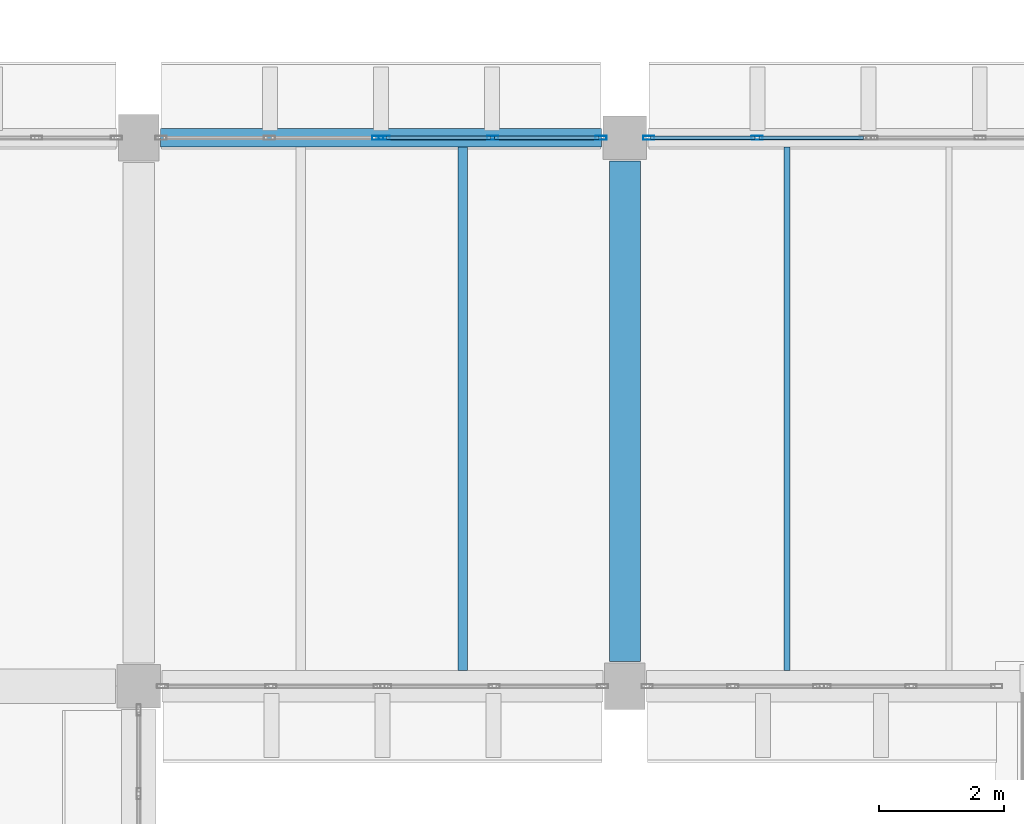
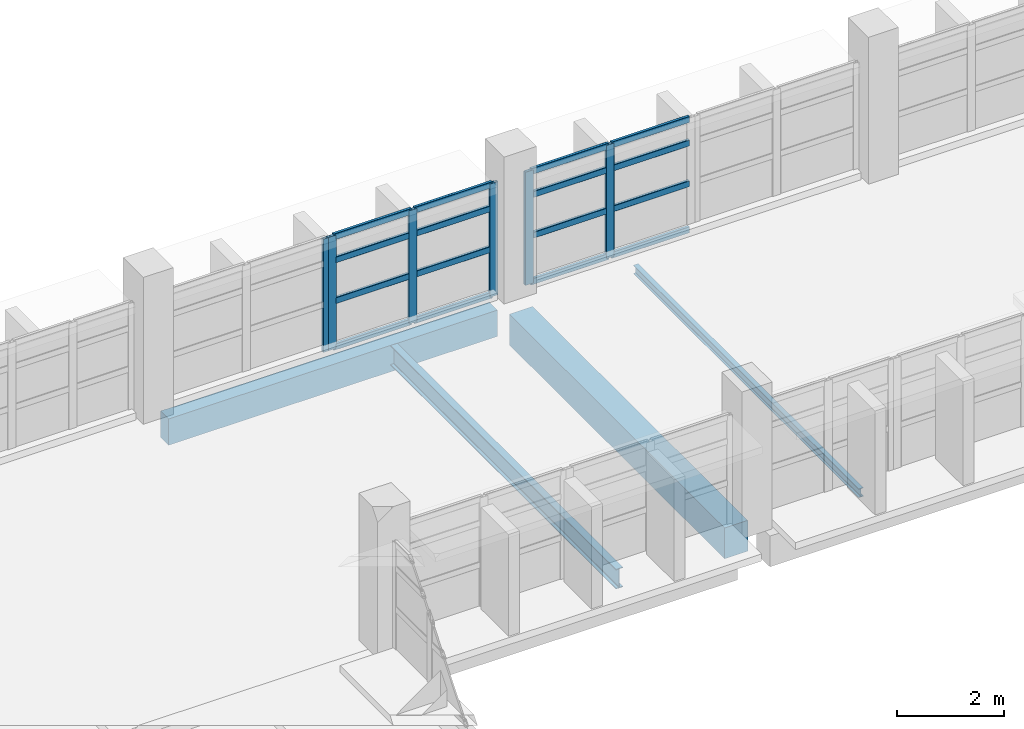
# One storey, part 22 of 75: 22 members, 4 beams, 3 elements without a shape of their own.
"""IFC4 building model written with IfcOpenShell, lengths in metres."""

from ifc_helpers import new_model, si_unit, direction, frame, origin, origin_2d, place, context, subcontext, project, spatial, rectangle, hollow_rectangle, i_section, extrude, material, material_profile, profile_set, type_object, element, aggregate, save


model = new_model("IFC4")

# Units and contexts
model_context = context("Model", 3, precision=1e-05, world=origin(), true_north=direction((0.0, 1.0)))
body_context = subcontext(model_context, "Body", "Model", "MODEL_VIEW")
ifc_project = project(units=[si_unit("LENGTHUNIT", "METRE"), si_unit("AREAUNIT", "SQUARE_METRE"), si_unit("VOLUMEUNIT", "CUBIC_METRE"), si_unit("PLANEANGLEUNIT", "RADIAN"), si_unit("MASSUNIT", "GRAM", prefix="KILO")], contexts=[model_context])

# Site, building, storey
site_placement = place(None, origin())
site = spatial("IfcSite", under=ifc_project, at=site_placement, CompositionType="ELEMENT")
building_placement = place(site_placement, origin())
building = spatial("IfcBuilding", under=site, at=building_placement, Name="Varnakota Cinema and Media Centre", CompositionType="ELEMENT")
storey_placement = place(building_placement, frame((0.0, 0.0, 8.39990234375)))
storey = spatial("IfcBuildingStorey", under=building, at=storey_placement, Name="L02", CompositionType="ELEMENT", Elevation=8.39990234375)

# Beams
ifc_material_1 = material(Name="Concrete M35", Category="concrete")
ifc_material_profile_1 = material_profile(ifc_material_1, rectangle(XDim=0.5, YDim=0.699951171875, at=origin_2d()), Name="RCB 500x700")
ifc_profile_set_1 = profile_set([ifc_material_profile_1], Name="Concrete M35")
beam_type_1 = type_object("IfcBeamType", Name="BM-RC-500x700", PredefinedType="BEAM", material=ifc_profile_set_1)
beam_1_placement = place(storey_placement, frame((59.39990234375, 35.60009765625, -0.599853515625), z_axis=(0.0, 1.0, 0.0), x_axis=(-1.0, 0.0, 0.0)))
element("IfcBeam", 1, at=beam_1_placement, inside=storey, type_object=beam_type_1, Name="L02 girder H/5-6", PredefinedType="BEAM", context=body_context, shape_type="SweptSolid", body=[
    extrude(rectangle(XDim=0.5, YDim=0.699951171875, at=origin_2d()), origin(), (0.0, 0.0, 1.0), 8.02490234375),
])
ifc_material_2 = material(Name="Concrete M35", Category="concrete")
ifc_material_profile_2 = material_profile(ifc_material_2, rectangle(XDim=0.300048828125, YDim=0.60009765625, at=origin_2d()), Name="RCB 300x600")
ifc_profile_set_2 = profile_set([ifc_material_profile_2], Name="Concrete M35")
beam_type_2 = type_object("IfcBeamType", Name="BM-SP-300x600", PredefinedType="SPANDREL", material=ifc_profile_set_2)
beam_2_placement = place(storey_placement, frame((51.949951171875, 44.0, -0.5498046875), z_axis=(1.0, 0.0, 0.0), x_axis=(0.0, 1.0, 0.0)))
element("IfcBeam", 2, at=beam_2_placement, inside=storey, type_object=beam_type_2, Name="L02 girder G-H/6", PredefinedType="SPANDREL", context=body_context, shape_type="SweptSolid", body=[
    extrude(rectangle(XDim=0.300048828125, YDim=0.60009765625, at=origin_2d()), origin(), (0.0, 0.0, 1.0), 7.074951171875),
])
ifc_material_3 = material(Name="Structural steel Grade 350 (E350)", Category="steel")
ifc_material_profile_3 = material_profile(ifc_material_3, i_section(OverallWidth=0.10009765625, OverallDepth=0.199951171875, WebThickness=0.005615234375, FlangeThickness=0.0107421875, FilletRadius=0.010986328125, at=origin_2d()), Name="ISMB 200")
ifc_profile_set_3 = profile_set([ifc_material_profile_3], Name="Structural steel Grade 350 (E350)")
beam_type_3 = type_object("IfcBeamType", Name="BM-ST-ISMB200", PredefinedType="JOIST", material=ifc_profile_set_3)
beam_3_placement = place(storey_placement, frame((62.0, 35.449951171875, -0.349853515625), z_axis=(0.0, 1.0, 0.0), x_axis=(-1.0, 0.0, 0.0)))
element("IfcBeam", 3, at=beam_3_placement, inside=storey, type_object=beam_type_3, Name="L02 steel joist H-J/5-6 #1", PredefinedType="JOIST", context=body_context, shape_type="SweptSolid", body=[
    extrude(i_section(OverallWidth=0.10009765625, OverallDepth=0.199951171875, WebThickness=0.005615234375, FlangeThickness=0.0107421875, FilletRadius=0.010986328125, at=origin_2d()), origin(), (0.0, 0.0, 1.0), 8.400146484375),
])
ifc_material_4 = material(Name="Structural steel Grade 350 (E350)", Category="steel")
ifc_material_profile_4 = material_profile(ifc_material_4, i_section(OverallWidth=0.14990234375, OverallDepth=0.449951171875, WebThickness=0.009521484375, FlangeThickness=0.017333984375, FilletRadius=0.014892578125, at=origin_2d()), Name="ISMB 450")
ifc_profile_set_4 = profile_set([ifc_material_profile_4], Name="Structural steel Grade 350 (E350)")
beam_type_4 = type_object("IfcBeamType", Name="BM-ST-ISMB450", PredefinedType="BEAM", material=ifc_profile_set_4)
beam_4_placement = place(storey_placement, frame((56.800048828125, 35.449951171875, -0.474853515625), z_axis=(0.0, 1.0, 0.0), x_axis=(-1.0, 0.0, 0.0)))
element("IfcBeam", 4, at=beam_4_placement, inside=storey, type_object=beam_type_4, Name="L02 steel joist G-H/5-6 #2", PredefinedType="BEAM", context=body_context, shape_type="SweptSolid", body=[
    extrude(i_section(OverallWidth=0.14990234375, OverallDepth=0.449951171875, WebThickness=0.009521484375, FlangeThickness=0.017333984375, FilletRadius=0.014892578125, at=origin_2d()), origin(), (0.0, 0.0, 1.0), 8.400146484375),
])

# Curtain wall, member
ifc_material_5 = material(Name="Thermally broken anodised aluminium AW-6063", Category="aluminium")
curtain_wall_type = type_object("IfcCurtainWallType", Name="CW-STD-354x258", PredefinedType="USERDEFINED", material=ifc_material_5)
curtain_wall_1_placement = place(storey_placement, origin())
curtain_wall_1 = element("IfcCurtainWall", 5, at=curtain_wall_1_placement, inside=storey, type_object=curtain_wall_type, Name="L02 curtain wall CW-L02-LINK-N-02-1", ObjectType="UNITISED CURTAIN WALL", PredefinedType="USERDEFINED")
ifc_material_6 = material(Name="Thermally broken anodised aluminium AW-6063", Category="aluminium")
ifc_material_profile_5 = material_profile(ifc_material_6, hollow_rectangle(XDim=0.06494140625, YDim=0.179931640625, WallThickness=0.00390625, InnerFilletRadius=0.00390625, OuterFilletRadius=0.008056640625, at=origin_2d()), Name="AL-MULLION 180x65x4")
ifc_profile_set_5 = profile_set([ifc_material_profile_5], Name="Thermally broken anodised aluminium AW-6063")
member_type_1 = type_object("IfcMemberType", Name="CWM-AL-180", PredefinedType="MULLION", material=ifc_profile_set_5)
member_1_placement = place(storey_placement, frame((55.43505859375, 44.0, 0.0), z_axis=(0.0, 0.0, 1.0), x_axis=(0.0, 1.0, 0.0)))
member_1 = element("IfcMember", 6, at=member_1_placement, type_object=member_type_1, Name="CW31 mullion 3", PredefinedType="MULLION", context=body_context, shape_type="SweptSolid", body=[
    extrude(hollow_rectangle(XDim=0.06494140625, YDim=0.179931640625, WallThickness=0.00390625, InnerFilletRadius=0.00390625, OuterFilletRadius=0.008056640625, at=origin_2d()), origin(), (0.0, 0.0, 1.0), 2.5751953125),
])
aggregate(curtain_wall_1, [member_1])

# Curtain wall, members
curtain_wall_2_placement = place(storey_placement, origin())
curtain_wall_2 = element("IfcCurtainWall", 7, at=curtain_wall_2_placement, inside=storey, type_object=curtain_wall_type, Name="L02 curtain wall CW-L02-LINK-N-02-2", ObjectType="UNITISED CURTAIN WALL", PredefinedType="USERDEFINED")
member_2_placement = place(storey_placement, frame((55.5400390625, 44.0, 0.0), z_axis=(0.0, 0.0, 1.0), x_axis=(0.0, 1.0, 0.0)))
member_2 = element("IfcMember", 8, at=member_2_placement, type_object=member_type_1, Name="CW31 mullion 1", PredefinedType="MULLION", context=body_context, shape_type="SweptSolid", body=[
    extrude(hollow_rectangle(XDim=0.06494140625, YDim=0.179931640625, WallThickness=0.00390625, InnerFilletRadius=0.00390625, OuterFilletRadius=0.008056640625, at=origin_2d()), origin(), (0.0, 0.0, 1.0), 2.5751953125),
])
member_3_placement = place(storey_placement, frame((57.27880859375, 44.0, 0.0), z_axis=(0.0, 0.0, 1.0), x_axis=(0.0, 1.0, 0.0)))
member_3 = element("IfcMember", 9, at=member_3_placement, type_object=member_type_1, Name="CW31 mullion 2", PredefinedType="MULLION", context=body_context, shape_type="SweptSolid", body=[
    extrude(hollow_rectangle(XDim=0.06494140625, YDim=0.179931640625, WallThickness=0.00390625, InnerFilletRadius=0.00390625, OuterFilletRadius=0.008056640625, at=origin_2d()), origin(), (0.0, 0.0, 1.0), 2.5751953125),
])
member_4_placement = place(storey_placement, frame((59.017578125, 44.0, 0.0), z_axis=(0.0, 0.0, 1.0), x_axis=(0.0, 1.0, 0.0)))
member_4 = element("IfcMember", 10, at=member_4_placement, type_object=member_type_1, Name="CW31 mullion 3", PredefinedType="MULLION", context=body_context, shape_type="SweptSolid", body=[
    extrude(hollow_rectangle(XDim=0.06494140625, YDim=0.179931640625, WallThickness=0.00390625, InnerFilletRadius=0.00390625, OuterFilletRadius=0.008056640625, at=origin_2d()), origin(), (0.0, 0.0, 1.0), 2.5751953125),
])

curtain_wall_3_placement = place(storey_placement, origin())
curtain_wall_3 = element("IfcCurtainWall", 11, at=curtain_wall_3_placement, inside=storey, type_object=curtain_wall_type, Name="L02 curtain wall CW-L02-LINK-N-03-1", ObjectType="UNITISED CURTAIN WALL", PredefinedType="USERDEFINED")
member_5_placement = place(storey_placement, frame((59.782470703125, 44.0, 0.0), z_axis=(0.0, 0.0, 1.0), x_axis=(0.0, 1.0, 0.0)))
member_5 = element("IfcMember", 12, at=member_5_placement, type_object=member_type_1, Name="CW31 mullion 1", PredefinedType="MULLION", context=body_context, shape_type="SweptSolid", body=[
    extrude(hollow_rectangle(XDim=0.06494140625, YDim=0.179931640625, WallThickness=0.00390625, InnerFilletRadius=0.00390625, OuterFilletRadius=0.008056640625, at=origin_2d()), origin(), (0.0, 0.0, 1.0), 2.5751953125),
])
member_6_placement = place(storey_placement, frame((61.521240234375, 44.0, 0.0), z_axis=(0.0, 0.0, 1.0), x_axis=(0.0, 1.0, 0.0)))
member_6 = element("IfcMember", 13, at=member_6_placement, type_object=member_type_1, Name="CW31 mullion 2", PredefinedType="MULLION", context=body_context, shape_type="SweptSolid", body=[
    extrude(hollow_rectangle(XDim=0.06494140625, YDim=0.179931640625, WallThickness=0.00390625, InnerFilletRadius=0.00390625, OuterFilletRadius=0.008056640625, at=origin_2d()), origin(), (0.0, 0.0, 1.0), 2.5751953125),
])

# Member
ifc_material_7 = material(Name="Thermally broken anodised aluminium AW-6063", Category="aluminium")
ifc_material_profile_6 = material_profile(ifc_material_7, hollow_rectangle(XDim=0.06494140625, YDim=0.139892578125, WallThickness=0.00390625, InnerFilletRadius=0.00390625, OuterFilletRadius=0.008056640625, at=origin_2d()), Name="AL-TRANSOM 140x65x4")
ifc_profile_set_6 = profile_set([ifc_material_profile_6], Name="Thermally broken anodised aluminium AW-6063")
member_type_2 = type_object("IfcMemberType", Name="CWT-AL-140", PredefinedType="USERDEFINED", material=ifc_profile_set_6)
member_7_placement = place(storey_placement, frame((55.572509765625, 44.0, 0.03271484375), z_axis=(1.0, 0.0, 0.0), x_axis=(0.0, 1.0, 0.0)))
member_7 = element("IfcMember", 14, at=member_7_placement, type_object=member_type_2, Name="CW31 transom 1.1", ObjectType="TRANSOM", PredefinedType="USERDEFINED", context=body_context, shape_type="SweptSolid", body=[
    extrude(hollow_rectangle(XDim=0.06494140625, YDim=0.139892578125, WallThickness=0.00390625, InnerFilletRadius=0.00390625, OuterFilletRadius=0.008056640625, at=origin_2d()), origin(), (0.0, 0.0, 1.0), 1.673828125),
])

member_8_placement = place(storey_placement, frame((55.572509765625, 44.0, 1.08154296875), z_axis=(1.0, 0.0, 0.0), x_axis=(0.0, 1.0, 0.0)))
member_8 = element("IfcMember", 15, at=member_8_placement, type_object=member_type_2, Name="CW31 transom 1.2", ObjectType="TRANSOM", PredefinedType="USERDEFINED", context=body_context, shape_type="SweptSolid", body=[
    extrude(hollow_rectangle(XDim=0.06494140625, YDim=0.139892578125, WallThickness=0.00390625, InnerFilletRadius=0.00390625, OuterFilletRadius=0.008056640625, at=origin_2d()), origin(), (0.0, 0.0, 1.0), 1.673828125),
])

member_9_placement = place(storey_placement, frame((55.572509765625, 44.0, 2.008544921875), z_axis=(1.0, 0.0, 0.0), x_axis=(0.0, 1.0, 0.0)))
member_9 = element("IfcMember", 16, at=member_9_placement, type_object=member_type_2, Name="CW31 transom 1.3", ObjectType="TRANSOM", PredefinedType="USERDEFINED", context=body_context, shape_type="SweptSolid", body=[
    extrude(hollow_rectangle(XDim=0.06494140625, YDim=0.139892578125, WallThickness=0.00390625, InnerFilletRadius=0.00390625, OuterFilletRadius=0.008056640625, at=origin_2d()), origin(), (0.0, 0.0, 1.0), 1.673828125),
])

member_10_placement = place(storey_placement, frame((55.572509765625, 44.0, 2.54248046875), z_axis=(1.0, 0.0, 0.0), x_axis=(0.0, 1.0, 0.0)))
member_10 = element("IfcMember", 17, at=member_10_placement, type_object=member_type_2, Name="CW31 transom 1.4", ObjectType="TRANSOM", PredefinedType="USERDEFINED", context=body_context, shape_type="SweptSolid", body=[
    extrude(hollow_rectangle(XDim=0.06494140625, YDim=0.139892578125, WallThickness=0.00390625, InnerFilletRadius=0.00390625, OuterFilletRadius=0.008056640625, at=origin_2d()), origin(), (0.0, 0.0, 1.0), 1.673828125),
])

member_11_placement = place(storey_placement, frame((57.311279296875, 44.0, 0.03271484375), z_axis=(1.0, 0.0, 0.0), x_axis=(0.0, 1.0, 0.0)))
member_11 = element("IfcMember", 18, at=member_11_placement, type_object=member_type_2, Name="CW31 transom 2.1", ObjectType="TRANSOM", PredefinedType="USERDEFINED", context=body_context, shape_type="SweptSolid", body=[
    extrude(hollow_rectangle(XDim=0.06494140625, YDim=0.139892578125, WallThickness=0.00390625, InnerFilletRadius=0.00390625, OuterFilletRadius=0.008056640625, at=origin_2d()), origin(), (0.0, 0.0, 1.0), 1.673828125),
])

member_12_placement = place(storey_placement, frame((57.311279296875, 44.0, 1.08154296875), z_axis=(1.0, 0.0, 0.0), x_axis=(0.0, 1.0, 0.0)))
member_12 = element("IfcMember", 19, at=member_12_placement, type_object=member_type_2, Name="CW31 transom 2.2", ObjectType="TRANSOM", PredefinedType="USERDEFINED", context=body_context, shape_type="SweptSolid", body=[
    extrude(hollow_rectangle(XDim=0.06494140625, YDim=0.139892578125, WallThickness=0.00390625, InnerFilletRadius=0.00390625, OuterFilletRadius=0.008056640625, at=origin_2d()), origin(), (0.0, 0.0, 1.0), 1.673828125),
])

member_13_placement = place(storey_placement, frame((57.311279296875, 44.0, 2.008544921875), z_axis=(1.0, 0.0, 0.0), x_axis=(0.0, 1.0, 0.0)))
member_13 = element("IfcMember", 20, at=member_13_placement, type_object=member_type_2, Name="CW31 transom 2.3", ObjectType="TRANSOM", PredefinedType="USERDEFINED", context=body_context, shape_type="SweptSolid", body=[
    extrude(hollow_rectangle(XDim=0.06494140625, YDim=0.139892578125, WallThickness=0.00390625, InnerFilletRadius=0.00390625, OuterFilletRadius=0.008056640625, at=origin_2d()), origin(), (0.0, 0.0, 1.0), 1.673828125),
])

member_14_placement = place(storey_placement, frame((57.311279296875, 44.0, 2.54248046875), z_axis=(1.0, 0.0, 0.0), x_axis=(0.0, 1.0, 0.0)))
member_14 = element("IfcMember", 21, at=member_14_placement, type_object=member_type_2, Name="CW31 transom 2.4", ObjectType="TRANSOM", PredefinedType="USERDEFINED", context=body_context, shape_type="SweptSolid", body=[
    extrude(hollow_rectangle(XDim=0.06494140625, YDim=0.139892578125, WallThickness=0.00390625, InnerFilletRadius=0.00390625, OuterFilletRadius=0.008056640625, at=origin_2d()), origin(), (0.0, 0.0, 1.0), 1.673828125),
])

aggregate(curtain_wall_2, [member_2, member_3, member_4, member_7, member_8, member_9, member_10, member_11, member_12, member_13, member_14])

member_15_placement = place(storey_placement, frame((59.81494140625, 44.0, 0.03271484375), z_axis=(1.0, 0.0, 0.0), x_axis=(0.0, 1.0, 0.0)))
member_15 = element("IfcMember", 22, at=member_15_placement, type_object=member_type_2, Name="CW31 transom 1.1", ObjectType="TRANSOM", PredefinedType="USERDEFINED", context=body_context, shape_type="SweptSolid", body=[
    extrude(hollow_rectangle(XDim=0.06494140625, YDim=0.139892578125, WallThickness=0.00390625, InnerFilletRadius=0.00390625, OuterFilletRadius=0.008056640625, at=origin_2d()), origin(), (0.0, 0.0, 1.0), 1.673828125),
])

member_16_placement = place(storey_placement, frame((59.81494140625, 44.0, 1.08154296875), z_axis=(1.0, 0.0, 0.0), x_axis=(0.0, 1.0, 0.0)))
member_16 = element("IfcMember", 23, at=member_16_placement, type_object=member_type_2, Name="CW31 transom 1.2", ObjectType="TRANSOM", PredefinedType="USERDEFINED", context=body_context, shape_type="SweptSolid", body=[
    extrude(hollow_rectangle(XDim=0.06494140625, YDim=0.139892578125, WallThickness=0.00390625, InnerFilletRadius=0.00390625, OuterFilletRadius=0.008056640625, at=origin_2d()), origin(), (0.0, 0.0, 1.0), 1.673828125),
])

member_17_placement = place(storey_placement, frame((59.81494140625, 44.0, 2.008544921875), z_axis=(1.0, 0.0, 0.0), x_axis=(0.0, 1.0, 0.0)))
member_17 = element("IfcMember", 24, at=member_17_placement, type_object=member_type_2, Name="CW31 transom 1.3", ObjectType="TRANSOM", PredefinedType="USERDEFINED", context=body_context, shape_type="SweptSolid", body=[
    extrude(hollow_rectangle(XDim=0.06494140625, YDim=0.139892578125, WallThickness=0.00390625, InnerFilletRadius=0.00390625, OuterFilletRadius=0.008056640625, at=origin_2d()), origin(), (0.0, 0.0, 1.0), 1.673828125),
])

member_18_placement = place(storey_placement, frame((59.81494140625, 44.0, 2.54248046875), z_axis=(1.0, 0.0, 0.0), x_axis=(0.0, 1.0, 0.0)))
member_18 = element("IfcMember", 25, at=member_18_placement, type_object=member_type_2, Name="CW31 transom 1.4", ObjectType="TRANSOM", PredefinedType="USERDEFINED", context=body_context, shape_type="SweptSolid", body=[
    extrude(hollow_rectangle(XDim=0.06494140625, YDim=0.139892578125, WallThickness=0.00390625, InnerFilletRadius=0.00390625, OuterFilletRadius=0.008056640625, at=origin_2d()), origin(), (0.0, 0.0, 1.0), 1.673828125),
])

member_19_placement = place(storey_placement, frame((61.5537109375, 44.0, 0.03271484375), z_axis=(1.0, 0.0, 0.0), x_axis=(0.0, 1.0, 0.0)))
member_19 = element("IfcMember", 26, at=member_19_placement, type_object=member_type_2, Name="CW31 transom 2.1", ObjectType="TRANSOM", PredefinedType="USERDEFINED", context=body_context, shape_type="SweptSolid", body=[
    extrude(hollow_rectangle(XDim=0.06494140625, YDim=0.139892578125, WallThickness=0.00390625, InnerFilletRadius=0.00390625, OuterFilletRadius=0.008056640625, at=origin_2d()), origin(), (0.0, 0.0, 1.0), 1.673828125),
])

member_20_placement = place(storey_placement, frame((61.5537109375, 44.0, 1.08154296875), z_axis=(1.0, 0.0, 0.0), x_axis=(0.0, 1.0, 0.0)))
member_20 = element("IfcMember", 27, at=member_20_placement, type_object=member_type_2, Name="CW31 transom 2.2", ObjectType="TRANSOM", PredefinedType="USERDEFINED", context=body_context, shape_type="SweptSolid", body=[
    extrude(hollow_rectangle(XDim=0.06494140625, YDim=0.139892578125, WallThickness=0.00390625, InnerFilletRadius=0.00390625, OuterFilletRadius=0.008056640625, at=origin_2d()), origin(), (0.0, 0.0, 1.0), 1.673828125),
])

member_21_placement = place(storey_placement, frame((61.5537109375, 44.0, 2.008544921875), z_axis=(1.0, 0.0, 0.0), x_axis=(0.0, 1.0, 0.0)))
member_21 = element("IfcMember", 28, at=member_21_placement, type_object=member_type_2, Name="CW31 transom 2.3", ObjectType="TRANSOM", PredefinedType="USERDEFINED", context=body_context, shape_type="SweptSolid", body=[
    extrude(hollow_rectangle(XDim=0.06494140625, YDim=0.139892578125, WallThickness=0.00390625, InnerFilletRadius=0.00390625, OuterFilletRadius=0.008056640625, at=origin_2d()), origin(), (0.0, 0.0, 1.0), 1.673828125),
])

member_22_placement = place(storey_placement, frame((61.5537109375, 44.0, 2.54248046875), z_axis=(1.0, 0.0, 0.0), x_axis=(0.0, 1.0, 0.0)))
member_22 = element("IfcMember", 29, at=member_22_placement, type_object=member_type_2, Name="CW31 transom 2.4", ObjectType="TRANSOM", PredefinedType="USERDEFINED", context=body_context, shape_type="SweptSolid", body=[
    extrude(hollow_rectangle(XDim=0.06494140625, YDim=0.139892578125, WallThickness=0.00390625, InnerFilletRadius=0.00390625, OuterFilletRadius=0.008056640625, at=origin_2d()), origin(), (0.0, 0.0, 1.0), 1.673828125),
])

aggregate(curtain_wall_3, [member_5, member_6, member_15, member_16, member_17, member_18, member_19, member_20, member_21, member_22])

save(model, "model.ifc")
